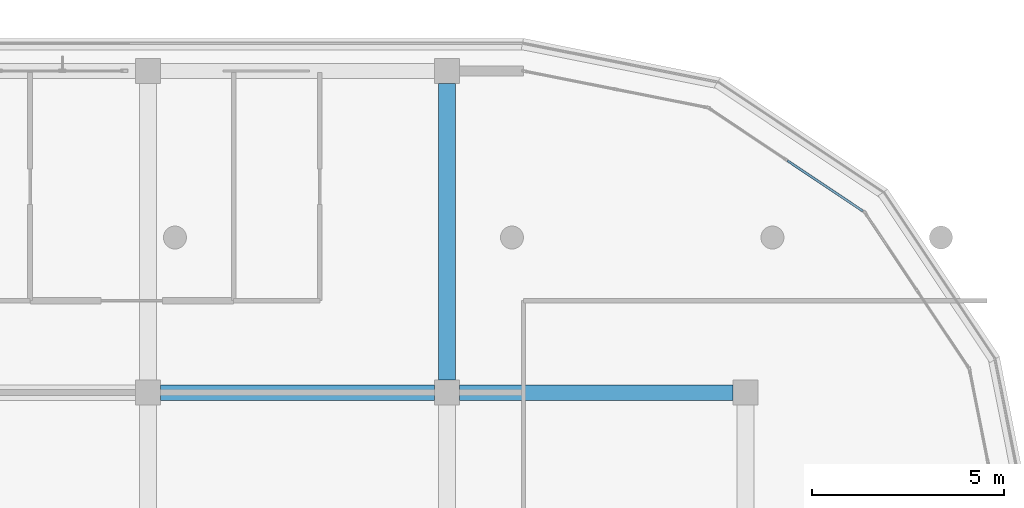
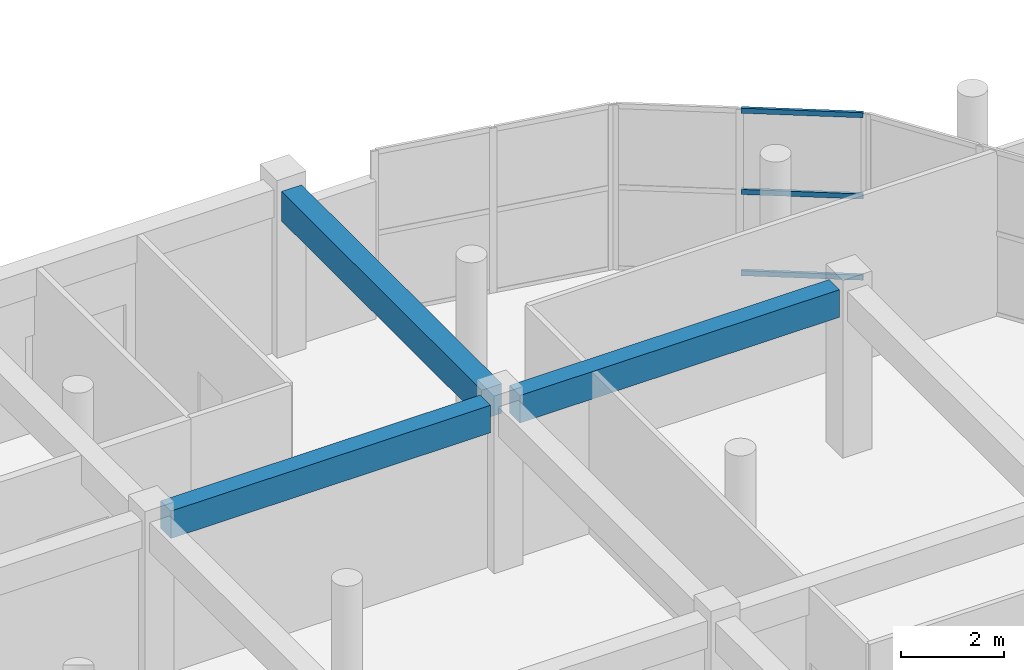
# One storey, part 33 of 63: 3 beams, 3 members, 1 element without a shape of its own.
"""IFC4 building model written with IfcOpenShell, lengths in metres."""

from ifc_helpers import new_model, si_unit, direction, frame, origin, origin_2d, place, context, subcontext, project, spatial, rectangle, hollow_rectangle, extrude, material, layer, layer_set, material_profile, profile_set, type_object, element, aggregate, save


model = new_model("IFC4")

# Units and contexts
model_context = context("Model", 3, precision=1e-05, world=origin(), true_north=direction((0.0, 1.0)))
body_context = subcontext(model_context, "Body", "Model", "MODEL_VIEW")
ifc_project = project(units=[si_unit("LENGTHUNIT", "METRE"), si_unit("AREAUNIT", "SQUARE_METRE"), si_unit("VOLUMEUNIT", "CUBIC_METRE"), si_unit("PLANEANGLEUNIT", "RADIAN"), si_unit("MASSUNIT", "GRAM", prefix="KILO")], contexts=[model_context])

# Site, building, storey
site_placement = place(None, origin())
site = spatial("IfcSite", under=ifc_project, at=site_placement, CompositionType="ELEMENT")
building_placement = place(site_placement, origin())
building = spatial("IfcBuilding", under=site, at=building_placement, Name="Zizhar Promenade General Hospital", CompositionType="ELEMENT")
storey_placement = place(building_placement, frame((0.0, 0.0, 18.0)))
storey = spatial("IfcBuildingStorey", under=building, at=storey_placement, Name="L04", CompositionType="ELEMENT", Elevation=18.0)

# Beams
ifc_material_1 = material(Name="Concrete C35/45", Category="concrete")
ifc_material_profile_1 = material_profile(ifc_material_1, rectangle(XDim=0.39990234375, YDim=0.64990234375, at=origin_2d()))
ifc_profile_set_1 = profile_set([ifc_material_profile_1], Name="Concrete C35/45")
beam_type_1 = type_object("IfcBeamType", Name="BM-RC-400x650", PredefinedType="BEAM", material=ifc_profile_set_1)
for number, where, z_axis, x_axis, name in (
    (1, (109.52490234375, 16.800048828125, 3.5849609375), (1.0, 0.0, 0.0), (0.0, 1.0, 0.0), "Grid Beam X L04 (14-2)"),
    (2, (117.324951171875, 16.800048828125, 3.5849609375), (1.0, 0.0, 0.0), (0.0, 1.0, 0.0), "Grid Beam X L04 (15-2)"),
):
    element("IfcBeam", number, at=place(storey_placement, frame(where, z_axis=z_axis, x_axis=x_axis)), inside=storey, type_object=beam_type_1, Name=name, PredefinedType="BEAM", context=body_context, shape_type="SweptSolid", body=[
        extrude(rectangle(XDim=0.39990234375, YDim=0.64990234375, at=origin_2d()), origin(), (0.0, 0.0, 1.0), 7.150146484375),
    ])
ifc_material_2 = material(Name="Concrete C35/45", Category="concrete")
ifc_material_profile_2 = material_profile(ifc_material_2, rectangle(XDim=0.449951171875, YDim=0.699951171875, at=origin_2d()))
ifc_profile_set_2 = profile_set([ifc_material_profile_2], Name="Concrete C35/45")
beam_type_2 = type_object("IfcBeamType", Name="BM-RC-450x700", PredefinedType="BEAM", material=ifc_profile_set_2)
beam_placement = place(storey_placement, frame((117.0, 17.125, 3.56005859375), z_axis=(0.0, 1.0, 0.0), x_axis=(-1.0, 0.0, 0.0)))
element("IfcBeam", 3, at=beam_placement, inside=storey, type_object=beam_type_2, Name="Grid Beam Y L04 (15-2)", PredefinedType="BEAM", context=body_context, shape_type="SweptSolid", body=[
    extrude(rectangle(XDim=0.449951171875, YDim=0.699951171875, at=origin_2d()), origin(), (0.0, 0.0, 1.0), 7.75),
])

# Curtain wall, members
ifc_material_3 = material(Name="Anodised aluminium 6063-T6 and low-E glass", Category="aluminium")
ifc_layer = layer(ifc_material_3, 0.159912109375)
ifc_layer_set = layer_set([ifc_layer], Name="Anodised aluminium 6063-T6 and low-E glass")
curtain_wall_type = type_object("IfcCurtainWallType", Name="CW-WARD-ARC", PredefinedType="NOTDEFINED", material=ifc_layer_set)
curtain_wall_placement = place(storey_placement, origin())
curtain_wall = element("IfcCurtainWall", 4, at=curtain_wall_placement, inside=storey, type_object=curtain_wall_type, Name="Ward Semicircular End Glazing L04-07", PredefinedType="NOTDEFINED")
ifc_material_4 = material(Name="Anodised aluminium 6063-T6", Category="aluminium")
ifc_material_profile_3 = material_profile(ifc_material_4, hollow_rectangle(XDim=0.06005859375, YDim=0.1201171875, WallThickness=0.00390625, at=origin_2d()))
ifc_profile_set_3 = profile_set([ifc_material_profile_3], Name="Anodised aluminium 6063-T6")
member_type = type_object("IfcMemberType", Name="CWT-ALU-120x60", PredefinedType="USERDEFINED", material=ifc_profile_set_3)
member_1_placement = place(storey_placement, frame((125.890625, 22.858642578125, 0.030029296875), z_axis=(0.831415354375, -0.555651427164, 0.0), x_axis=(0.555651427164, 0.831415354375, 0.0)))
member_1 = element("IfcMember", 5, at=member_1_placement, type_object=member_type, Name="CW-12 transom 2.1", ObjectType="TRANSOM", PredefinedType="USERDEFINED", context=body_context, shape_type="SweptSolid", body=[
    extrude(hollow_rectangle(XDim=0.06005859375, YDim=0.1201171875, WallThickness=0.00390625, at=origin_2d()), origin(), (0.0, 0.0, 1.0), 2.3681640625),
])
member_2_placement = place(storey_placement, frame((125.890625, 22.858642578125, 1.949951171875), z_axis=(0.831415354375, -0.555651427164, 0.0), x_axis=(0.555651427164, 0.831415354375, 0.0)))
member_2 = element("IfcMember", 6, at=member_2_placement, type_object=member_type, Name="CW-12 transom 2.2", ObjectType="TRANSOM", PredefinedType="USERDEFINED", context=body_context, shape_type="SweptSolid", body=[
    extrude(hollow_rectangle(XDim=0.06005859375, YDim=0.1201171875, WallThickness=0.00390625, at=origin_2d()), origin(), (0.0, 0.0, 1.0), 2.3681640625),
])
member_3_placement = place(storey_placement, frame((125.890625, 22.858642578125, 3.8701171875), z_axis=(0.831415354375, -0.555651427164, 0.0), x_axis=(0.555651427164, 0.831415354375, 0.0)))
member_3 = element("IfcMember", 7, at=member_3_placement, type_object=member_type, Name="CW-12 transom 2.3", ObjectType="TRANSOM", PredefinedType="USERDEFINED", context=body_context, shape_type="SweptSolid", body=[
    extrude(hollow_rectangle(XDim=0.06005859375, YDim=0.1201171875, WallThickness=0.00390625, at=origin_2d()), origin(), (0.0, 0.0, 1.0), 2.3681640625),
])
aggregate(curtain_wall, [member_1, member_2, member_3])

save(model, "model.ifc")
